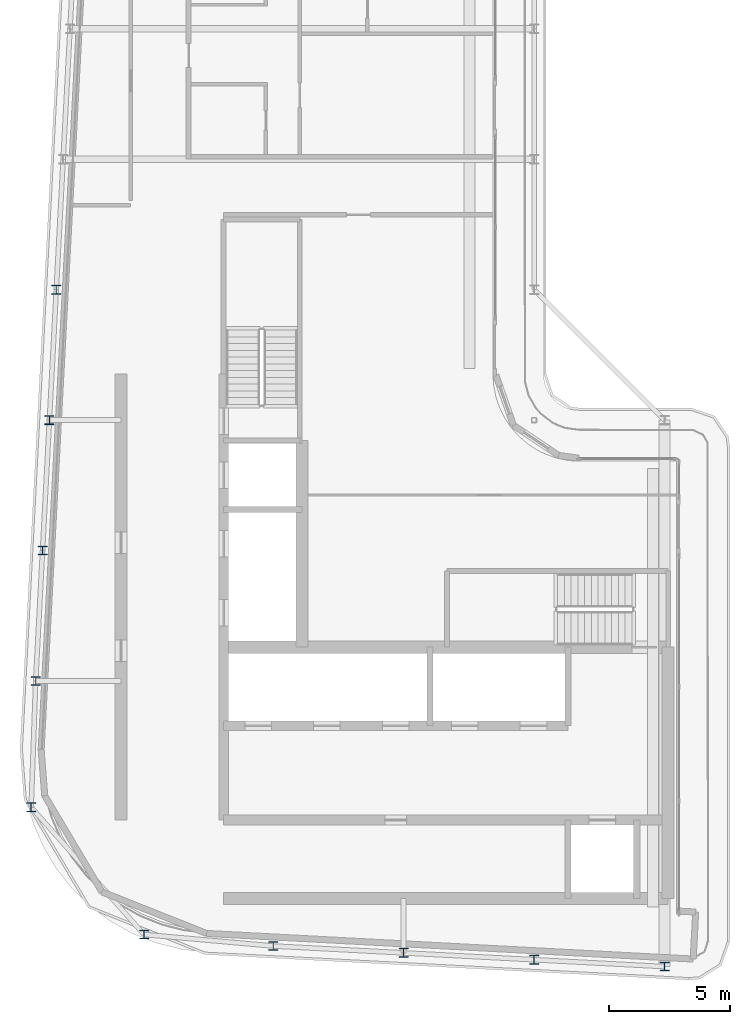
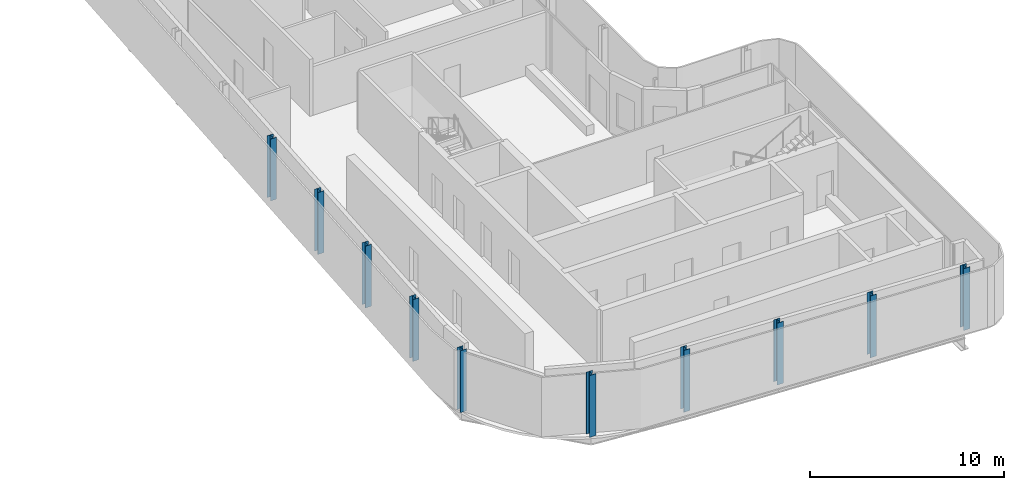
# One storey, part 1 of 15: 10 columns.
"""IFC4 building model written with IfcOpenShell, lengths in metres."""

import ifcopenshell
import ifcopenshell.guid

model = None  # the IFC model being written
_history = None  # IfcOwnerHistory: only IFC2X3 demands one
_inside = {}  # id of a spatial element -> (the spatial element, [elements in it])
_under = {}  # id of a project, library or spatial element -> (it, [spatial elements below it])
_declared = {}  # id of a project -> (the project, [libraries it declares])
_typed = {}  # id of a type object -> (the type object, [elements of that type])
_made_of = {}  # id of a material, layer set ... -> (it, [elements and type objects made of it])


def new_model(schema):
    """Start an empty IFC model of exactly this schema.

    Asked for "IFC4X3", IfcOpenShell would pick the latest addendum, in which some entities
    have other attributes; the version numbers below select the first issue.
    IFC2X3 requires an IfcOwnerHistory on every rooted entity: one is made here for all.
    """
    global model, _history
    if schema == "IFC4X3":
        model = ifcopenshell.file(schema_version=(4, 3, 0, 0))
    else:
        model = ifcopenshell.file(schema=schema)
    _inside.clear()
    _under.clear()
    _declared.clear()
    _typed.clear()
    _made_of.clear()
    _history = None
    if model.schema == "IFC2X3":
        org = make("IfcOrganization", Name="unknown")
        user = make(
            "IfcPersonAndOrganization",
            ThePerson=make("IfcPerson", FamilyName="unknown"),
            TheOrganization=org,
        )
        app = make(
            "IfcApplication",
            ApplicationDeveloper=org,
            Version="unknown",
            ApplicationFullName="unknown",
            ApplicationIdentifier="unknown",
        )
        _history = make(
            "IfcOwnerHistory",
            OwningUser=user,
            OwningApplication=app,
            ChangeAction="ADDED",
            CreationDate=0,
        )
    return model


def make(cls, **values):
    """One entity of the class cls with the attributes given. An attribute that is None is left unset."""
    return model.create_entity(
        cls, **{name: value for name, value in values.items() if value is not None}
    )


def rooted(cls, **values):
    """An entity with a GlobalId (a new one), such as an element, a storey or a relation."""
    return make(cls, GlobalId=ifcopenshell.guid.new(), OwnerHistory=_history, **values)


def si_unit(unit_type, name, prefix=None):
    """IfcSIUnit, for example si_unit("LENGTHUNIT", "METRE", prefix="MILLI")."""
    return make("IfcSIUnit", UnitType=unit_type, Prefix=prefix, Name=name)


def assignment(units):
    """IfcUnitAssignment: the units of a project."""
    return None if units is None else make("IfcUnitAssignment", Units=units)


def point(xyz):
    """IfcCartesianPoint."""
    return None if xyz is None else make("IfcCartesianPoint", Coordinates=xyz)


def direction(xyz):
    """IfcDirection."""
    return None if xyz is None else make("IfcDirection", DirectionRatios=xyz)


def frame(location, z_axis=None, x_axis=None):
    """IfcAxis2Placement3D, a coordinate frame: its origin and axes. An axis left out is left unset."""
    return make(
        "IfcAxis2Placement3D",
        Location=point(location),
        Axis=direction(z_axis),
        RefDirection=direction(x_axis),
    )


def frame_2d(location, x_axis=None):
    """IfcAxis2Placement2D, a coordinate frame in the plane: its origin and x axis."""
    return make(
        "IfcAxis2Placement2D", Location=point(location), RefDirection=direction(x_axis)
    )


def origin():
    """The frame at (0, 0, 0) with its axes left unset."""
    return frame((0.0, 0.0, 0.0))


def origin_2d():
    """The frame at (0, 0) in the plane with its x axis left unset."""
    return frame_2d((0.0, 0.0))


def place(relative_to, where):
    """IfcLocalPlacement: puts the frame where relative to a parent placement (None: the world)."""
    return make(
        "IfcLocalPlacement", PlacementRelTo=relative_to, RelativePlacement=where
    )


def context(
    kind, dimensions, precision=None, world=None, true_north=None, identifier=None
):
    """IfcGeometricRepresentationContext, for example the 3D "Model" context."""
    return make(
        "IfcGeometricRepresentationContext",
        ContextIdentifier=identifier,
        ContextType=kind,
        CoordinateSpaceDimension=dimensions,
        Precision=precision,
        WorldCoordinateSystem=world,
        TrueNorth=true_north,
    )


def subcontext(parent, identifier, kind, view, scale=None):
    """IfcGeometricRepresentationSubContext, for example "Body" below "Model"."""
    return make(
        "IfcGeometricRepresentationSubContext",
        ContextIdentifier=identifier,
        ContextType=kind,
        ParentContext=parent,
        TargetScale=scale,
        TargetView=view,
    )


def project(units=None, contexts=None):
    """IfcProject with its units and contexts."""
    return rooted(
        "IfcProject",
        Name="project",
        RepresentationContexts=contexts,
        UnitsInContext=assignment(units),
    )


def spatial(cls, under=None, at=None, **own):
    """A site, building, storey or space (cls), placed at a placement, below another one or the project."""
    s = rooted(cls, ObjectPlacement=at, **own)
    if under is not None:
        _under.setdefault(under.id(), (under, []))[1].append(s)
    return s


def profile(cls, at=None, kind="AREA", **sizes):
    """A parametric profile (cls). Its sizes go by their IFC names, for example OverallWidth=200.0."""
    return make(cls, ProfileType=kind, Position=at, **sizes)


def i_section(**sizes):
    """IfcIShapeProfileDef."""
    return profile("IfcIShapeProfileDef", **sizes)


def extrude(swept, where, along, depth):
    """IfcExtrudedAreaSolid: the profile swept, set in the frame where, extruded along a direction by depth."""
    return make(
        "IfcExtrudedAreaSolid",
        SweptArea=swept,
        Position=where,
        ExtrudedDirection=direction(along),
        Depth=depth,
    )


def shape(context_of_items, identifier, shape_type, items):
    """IfcShapeRepresentation: the items that make up one representation, for example the "Body"."""
    return make(
        "IfcShapeRepresentation",
        ContextOfItems=context_of_items,
        RepresentationIdentifier=identifier,
        RepresentationType=shape_type,
        Items=items,
    )


def material(Name=None, Category=None):
    """IfcMaterial."""
    return make("IfcMaterial", Name=Name, Category=Category)


def material_profile(
    of_material, cross_section, Name=None, Category=None, Priority=None
):
    """IfcMaterialProfile: a cross section and its material."""
    return make(
        "IfcMaterialProfile",
        Name=Name,
        Material=of_material,
        Profile=cross_section,
        Priority=Priority,
        Category=Category,
    )


def profile_set(profiles, Name=None, composite=None):
    """IfcMaterialProfileSet."""
    return make(
        "IfcMaterialProfileSet",
        Name=Name,
        MaterialProfiles=profiles,
        CompositeProfile=composite,
    )


def made_of(thing, what):
    """Note that an element or type object is made of a material, layer set ...; save() writes the relation."""
    if what is not None:
        _made_of.setdefault(what.id(), (what, []))[1].append(thing)
    return thing


def type_object(cls, material=None, **own):
    """A type object (cls), such as IfcWallType, which elements share."""
    return made_of(rooted(cls, **own), material)


def element(
    cls,
    number,
    at=None,
    inside=None,
    cuts=None,
    type_object=None,
    material=None,
    context=None,
    identifier="Body",
    shape_type=None,
    held_by="IfcProductDefinitionShape",
    body=None,
    shapes=None,
    **own,
):
    """One element of the class cls, such as IfcWall. Its Tag is "e" and its number.

    at: its placement. inside: the storey or other place that contains it. cuts: it is an
    opening in that element (IfcRelVoidsElement). A single representation is given by context,
    identifier, shape_type and body (its items); several are given by shapes. held_by: the class
    of the entity that holds the representations. save() writes the other relations.
    """
    e = rooted(cls, Tag="e%d" % number, ObjectPlacement=at, **own)
    if body is not None:
        shapes = [shape(context, identifier, shape_type, body)]
    if shapes is not None:
        e.Representation = make(held_by, Representations=shapes)
    if inside is not None:
        _inside.setdefault(inside.id(), (inside, []))[1].append(e)
    if cuts is not None:
        rooted(
            "IfcRelVoidsElement", RelatingBuildingElement=cuts, RelatedOpeningElement=e
        )
    if type_object is not None:
        _typed.setdefault(type_object.id(), (type_object, []))[1].append(e)
    return made_of(e, material)


def aggregate(whole, parts):
    """IfcRelAggregates: a whole, such as a stair, and the parts it consists of."""
    return rooted("IfcRelAggregates", RelatingObject=whole, RelatedObjects=parts)


def save(model, path):
    """Write the relations noted so far, then the file.

    IfcRelAggregates (storeys below a building ...), IfcRelContainedInSpatialStructure (elements
    in a storey), IfcRelDefinesByType, IfcRelAssociatesMaterial and IfcRelDeclares: one each for
    every whole, place, type object, material and project.
    """
    for whole, parts in _under.values():
        aggregate(whole, parts)
    for where, things in _inside.values():
        rooted(
            "IfcRelContainedInSpatialStructure",
            RelatedElements=things,
            RelatingStructure=where,
        )
    for kind, things in _typed.values():
        rooted("IfcRelDefinesByType", RelatedObjects=things, RelatingType=kind)
    for what, things in _made_of.values():
        rooted("IfcRelAssociatesMaterial", RelatedObjects=things, RelatingMaterial=what)
    for by, libraries in _declared.values():
        rooted("IfcRelDeclares", RelatingContext=by, RelatedDefinitions=libraries)
    model.write(path)


model = new_model("IFC4")

# Units and contexts
model_context = context("Model", 3, precision=1e-05, world=origin(), true_north=direction((0.0, 1.0)))
body_context = subcontext(model_context, "Body", "Model", "MODEL_VIEW")
ifc_project = project(units=[si_unit("LENGTHUNIT", "METRE"), si_unit("AREAUNIT", "SQUARE_METRE"), si_unit("VOLUMEUNIT", "CUBIC_METRE"), si_unit("PLANEANGLEUNIT", "RADIAN"), si_unit("MASSUNIT", "GRAM", prefix="KILO")], contexts=[model_context])

# Site, building, storey
site_placement = place(None, origin())
site = spatial("IfcSite", under=ifc_project, at=site_placement, CompositionType="ELEMENT")
building_placement = place(site_placement, origin())
building = spatial("IfcBuilding", under=site, at=building_placement, Name="Kheshtan School and Residences Tower", CompositionType="ELEMENT")
storey_placement = place(building_placement, frame((0.0, 0.0, 338.300048828125)))
storey = spatial("IfcBuildingStorey", under=building, at=storey_placement, Name="L79", CompositionType="ELEMENT", Elevation=338.300048828125)

# Columns
ifc_material = material(Name="Steel ASTM A992 Grade 50", Category="steel")
ifc_material_profile = material_profile(ifc_material, i_section(OverallWidth=0.37109375, OverallDepth=0.364013671875, WebThickness=0.01318359375, FlangeThickness=0.021728515625, FilletRadius=0.010986328125, at=origin_2d()), Name="W360x162")
ifc_profile_set = profile_set([ifc_material_profile], Name="Steel ASTM A992 Grade 50")
column_type = type_object("IfcColumnType", Name="Column C6 W360x162 ASTM A992 Grade 50", PredefinedType="COLUMN", material=ifc_profile_set)
for number, where, z_axis, x_axis, name in (
    (1, (53.0, 22.97998046875, 0.0), (0.0, 0.0, 1.0), (1.0, 0.0, 0.0), "Column C019"),
    (2, (47.60009765625, 23.263916015625, 0.0), (0.0, 0.0, 1.0), (1.0, 0.0, 0.0), "Column C020"),
    (3, (42.199951171875, 23.548095703125, 0.0), (0.0, 0.0, 1.0), (1.0, 0.0, 0.0), "Column C021"),
    (4, (36.800048828125, 23.83203125, 0.0), (0.0, 0.0, 1.0), (1.0, 0.0, 0.0), "Column C022"),
    (5, (31.4541015625, 24.30810546875, 0.0), (0.0, 0.0, 1.0), (1.0, 0.0, 0.0), "Column C033"),
    (6, (26.781005859375, 29.575927734375, 0.0), (0.0, 0.0, 1.0), (1.0, 0.0, 0.0), "Column C046"),
    (7, (26.968994140625, 34.800048828125, 0.0), (0.0, 0.0, 1.0), (1.0, 0.0, 0.0), "Column C052"),
    (8, (27.2529296875, 40.199951171875, 0.0), (0.0, 0.0, 1.0), (1.0, 0.0, 0.0), "Column C056"),
    (9, (27.537109375, 45.60009765625, 0.0), (0.0, 0.0, 1.0), (1.0, 0.0, 0.0), "Column C059"),
    (10, (27.822021484375, 51.0, 0.0), (0.0, 0.0, 1.0), (1.0, 0.0, 0.0), "Column C078"),
):
    element("IfcColumn", number, at=place(storey_placement, frame(where, z_axis=z_axis, x_axis=x_axis)), inside=storey, type_object=column_type, Name=name, PredefinedType="COLUMN", context=body_context, shape_type="SweptSolid", body=[
        extrude(i_section(OverallWidth=0.37109375, OverallDepth=0.364013671875, WebThickness=0.01318359375, FlangeThickness=0.021728515625, FilletRadius=0.010986328125, at=origin_2d()), origin(), (0.0, 0.0, 1.0), 3.89990234375),
    ])

save(model, "model.ifc")
